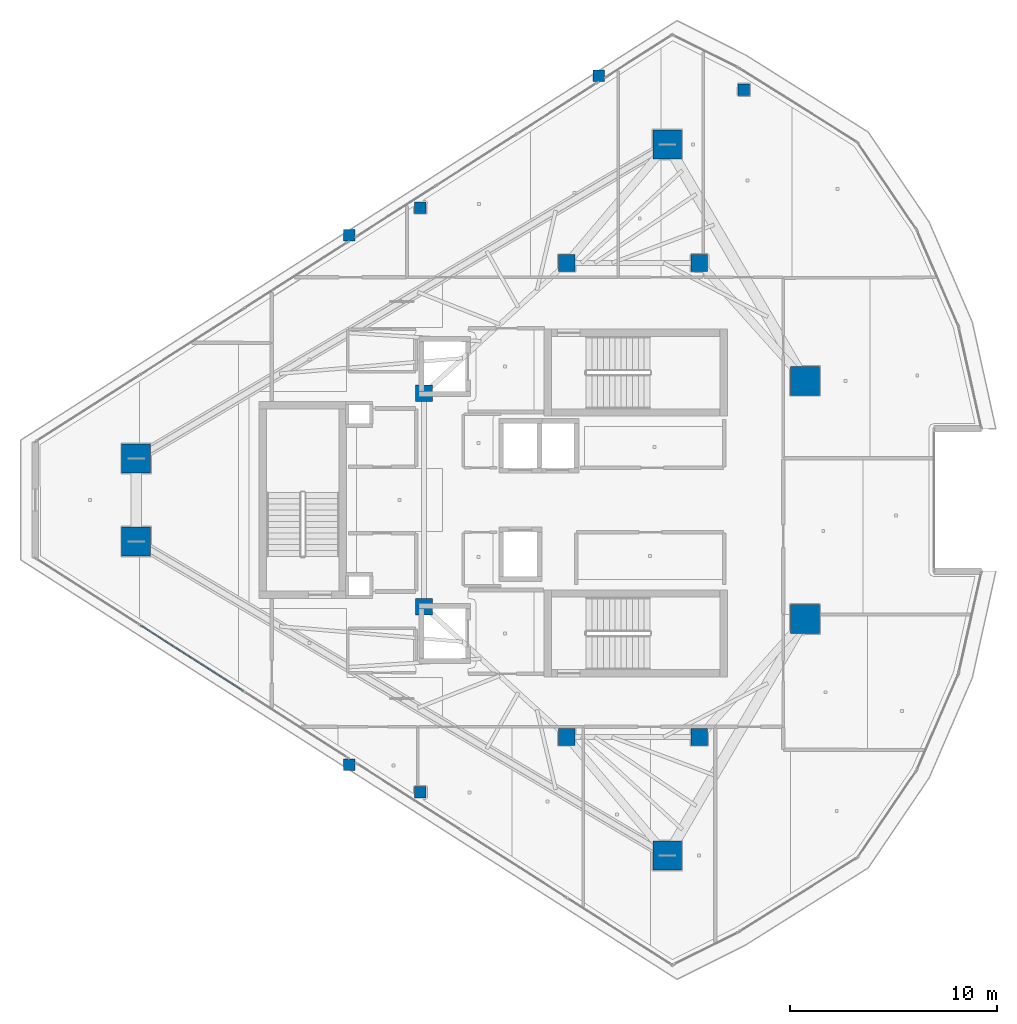
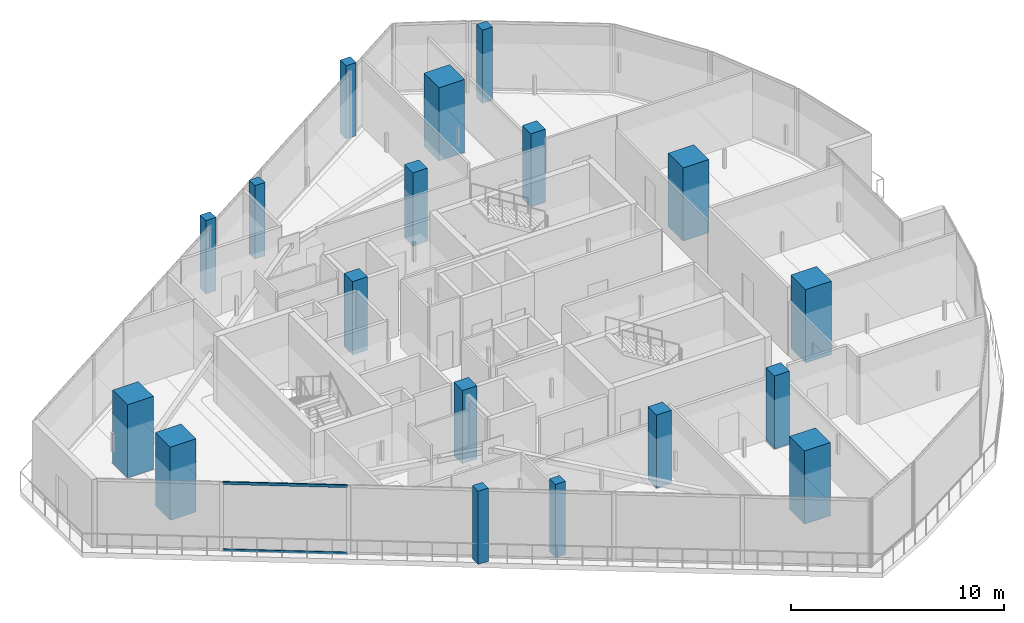
# One storey, part 1 of 30: 18 columns, 2 members, 1 element without a shape of its own.
"""IFC4 building model written with IfcOpenShell, lengths in metres."""

import ifcopenshell
import ifcopenshell.guid

model = None  # the IFC model being written
_history = None  # IfcOwnerHistory: only IFC2X3 demands one
_inside = {}  # id of a spatial element -> (the spatial element, [elements in it])
_under = {}  # id of a project, library or spatial element -> (it, [spatial elements below it])
_declared = {}  # id of a project -> (the project, [libraries it declares])
_typed = {}  # id of a type object -> (the type object, [elements of that type])
_made_of = {}  # id of a material, layer set ... -> (it, [elements and type objects made of it])


def new_model(schema):
    """Start an empty IFC model of exactly this schema.

    Asked for "IFC4X3", IfcOpenShell would pick the latest addendum, in which some entities
    have other attributes; the version numbers below select the first issue.
    IFC2X3 requires an IfcOwnerHistory on every rooted entity: one is made here for all.
    """
    global model, _history
    if schema == "IFC4X3":
        model = ifcopenshell.file(schema_version=(4, 3, 0, 0))
    else:
        model = ifcopenshell.file(schema=schema)
    _inside.clear()
    _under.clear()
    _declared.clear()
    _typed.clear()
    _made_of.clear()
    _history = None
    if model.schema == "IFC2X3":
        org = make("IfcOrganization", Name="unknown")
        user = make(
            "IfcPersonAndOrganization",
            ThePerson=make("IfcPerson", FamilyName="unknown"),
            TheOrganization=org,
        )
        app = make(
            "IfcApplication",
            ApplicationDeveloper=org,
            Version="unknown",
            ApplicationFullName="unknown",
            ApplicationIdentifier="unknown",
        )
        _history = make(
            "IfcOwnerHistory",
            OwningUser=user,
            OwningApplication=app,
            ChangeAction="ADDED",
            CreationDate=0,
        )
    return model


def make(cls, **values):
    """One entity of the class cls with the attributes given. An attribute that is None is left unset."""
    return model.create_entity(
        cls, **{name: value for name, value in values.items() if value is not None}
    )


def rooted(cls, **values):
    """An entity with a GlobalId (a new one), such as an element, a storey or a relation."""
    return make(cls, GlobalId=ifcopenshell.guid.new(), OwnerHistory=_history, **values)


def si_unit(unit_type, name, prefix=None):
    """IfcSIUnit, for example si_unit("LENGTHUNIT", "METRE", prefix="MILLI")."""
    return make("IfcSIUnit", UnitType=unit_type, Prefix=prefix, Name=name)


def assignment(units):
    """IfcUnitAssignment: the units of a project."""
    return None if units is None else make("IfcUnitAssignment", Units=units)


def point(xyz):
    """IfcCartesianPoint."""
    return None if xyz is None else make("IfcCartesianPoint", Coordinates=xyz)


def direction(xyz):
    """IfcDirection."""
    return None if xyz is None else make("IfcDirection", DirectionRatios=xyz)


def frame(location, z_axis=None, x_axis=None):
    """IfcAxis2Placement3D, a coordinate frame: its origin and axes. An axis left out is left unset."""
    return make(
        "IfcAxis2Placement3D",
        Location=point(location),
        Axis=direction(z_axis),
        RefDirection=direction(x_axis),
    )


def frame_2d(location, x_axis=None):
    """IfcAxis2Placement2D, a coordinate frame in the plane: its origin and x axis."""
    return make(
        "IfcAxis2Placement2D", Location=point(location), RefDirection=direction(x_axis)
    )


def origin():
    """The frame at (0, 0, 0) with its axes left unset."""
    return frame((0.0, 0.0, 0.0))


def origin_2d():
    """The frame at (0, 0) in the plane with its x axis left unset."""
    return frame_2d((0.0, 0.0))


def place(relative_to, where):
    """IfcLocalPlacement: puts the frame where relative to a parent placement (None: the world)."""
    return make(
        "IfcLocalPlacement", PlacementRelTo=relative_to, RelativePlacement=where
    )


def context(
    kind, dimensions, precision=None, world=None, true_north=None, identifier=None
):
    """IfcGeometricRepresentationContext, for example the 3D "Model" context."""
    return make(
        "IfcGeometricRepresentationContext",
        ContextIdentifier=identifier,
        ContextType=kind,
        CoordinateSpaceDimension=dimensions,
        Precision=precision,
        WorldCoordinateSystem=world,
        TrueNorth=true_north,
    )


def subcontext(parent, identifier, kind, view, scale=None):
    """IfcGeometricRepresentationSubContext, for example "Body" below "Model"."""
    return make(
        "IfcGeometricRepresentationSubContext",
        ContextIdentifier=identifier,
        ContextType=kind,
        ParentContext=parent,
        TargetScale=scale,
        TargetView=view,
    )


def project(units=None, contexts=None):
    """IfcProject with its units and contexts."""
    return rooted(
        "IfcProject",
        Name="project",
        RepresentationContexts=contexts,
        UnitsInContext=assignment(units),
    )


def spatial(cls, under=None, at=None, **own):
    """A site, building, storey or space (cls), placed at a placement, below another one or the project."""
    s = rooted(cls, ObjectPlacement=at, **own)
    if under is not None:
        _under.setdefault(under.id(), (under, []))[1].append(s)
    return s


def profile(cls, at=None, kind="AREA", **sizes):
    """A parametric profile (cls). Its sizes go by their IFC names, for example OverallWidth=200.0."""
    return make(cls, ProfileType=kind, Position=at, **sizes)


def rectangle(**sizes):
    """IfcRectangleProfileDef."""
    return profile("IfcRectangleProfileDef", **sizes)


def hollow_rectangle(**sizes):
    """IfcRectangleHollowProfileDef."""
    return profile("IfcRectangleHollowProfileDef", **sizes)


def extrude(swept, where, along, depth):
    """IfcExtrudedAreaSolid: the profile swept, set in the frame where, extruded along a direction by depth."""
    return make(
        "IfcExtrudedAreaSolid",
        SweptArea=swept,
        Position=where,
        ExtrudedDirection=direction(along),
        Depth=depth,
    )


def shape(context_of_items, identifier, shape_type, items):
    """IfcShapeRepresentation: the items that make up one representation, for example the "Body"."""
    return make(
        "IfcShapeRepresentation",
        ContextOfItems=context_of_items,
        RepresentationIdentifier=identifier,
        RepresentationType=shape_type,
        Items=items,
    )


def material(Name=None, Category=None):
    """IfcMaterial."""
    return make("IfcMaterial", Name=Name, Category=Category)


def layer(
    of_material, thickness, ventilated=None, Name=None, Category=None, Priority=None
):
    """IfcMaterialLayer: one layer of a wall or slab, of a material (None: an air gap)."""
    return make(
        "IfcMaterialLayer",
        Material=of_material,
        LayerThickness=thickness,
        IsVentilated=ventilated,
        Name=Name,
        Category=Category,
        Priority=Priority,
    )


def layer_set(layers, Name=None):
    """IfcMaterialLayerSet."""
    return make("IfcMaterialLayerSet", MaterialLayers=layers, LayerSetName=Name)


def material_profile(
    of_material, cross_section, Name=None, Category=None, Priority=None
):
    """IfcMaterialProfile: a cross section and its material."""
    return make(
        "IfcMaterialProfile",
        Name=Name,
        Material=of_material,
        Profile=cross_section,
        Priority=Priority,
        Category=Category,
    )


def profile_set(profiles, Name=None, composite=None):
    """IfcMaterialProfileSet."""
    return make(
        "IfcMaterialProfileSet",
        Name=Name,
        MaterialProfiles=profiles,
        CompositeProfile=composite,
    )


def made_of(thing, what):
    """Note that an element or type object is made of a material, layer set ...; save() writes the relation."""
    if what is not None:
        _made_of.setdefault(what.id(), (what, []))[1].append(thing)
    return thing


def type_object(cls, material=None, **own):
    """A type object (cls), such as IfcWallType, which elements share."""
    return made_of(rooted(cls, **own), material)


def element(
    cls,
    number,
    at=None,
    inside=None,
    cuts=None,
    type_object=None,
    material=None,
    context=None,
    identifier="Body",
    shape_type=None,
    held_by="IfcProductDefinitionShape",
    body=None,
    shapes=None,
    **own,
):
    """One element of the class cls, such as IfcWall. Its Tag is "e" and its number.

    at: its placement. inside: the storey or other place that contains it. cuts: it is an
    opening in that element (IfcRelVoidsElement). A single representation is given by context,
    identifier, shape_type and body (its items); several are given by shapes. held_by: the class
    of the entity that holds the representations. save() writes the other relations.
    """
    e = rooted(cls, Tag="e%d" % number, ObjectPlacement=at, **own)
    if body is not None:
        shapes = [shape(context, identifier, shape_type, body)]
    if shapes is not None:
        e.Representation = make(held_by, Representations=shapes)
    if inside is not None:
        _inside.setdefault(inside.id(), (inside, []))[1].append(e)
    if cuts is not None:
        rooted(
            "IfcRelVoidsElement", RelatingBuildingElement=cuts, RelatedOpeningElement=e
        )
    if type_object is not None:
        _typed.setdefault(type_object.id(), (type_object, []))[1].append(e)
    return made_of(e, material)


def aggregate(whole, parts):
    """IfcRelAggregates: a whole, such as a stair, and the parts it consists of."""
    return rooted("IfcRelAggregates", RelatingObject=whole, RelatedObjects=parts)


def save(model, path):
    """Write the relations noted so far, then the file.

    IfcRelAggregates (storeys below a building ...), IfcRelContainedInSpatialStructure (elements
    in a storey), IfcRelDefinesByType, IfcRelAssociatesMaterial and IfcRelDeclares: one each for
    every whole, place, type object, material and project.
    """
    for whole, parts in _under.values():
        aggregate(whole, parts)
    for where, things in _inside.values():
        rooted(
            "IfcRelContainedInSpatialStructure",
            RelatedElements=things,
            RelatingStructure=where,
        )
    for kind, things in _typed.values():
        rooted("IfcRelDefinesByType", RelatedObjects=things, RelatingType=kind)
    for what, things in _made_of.values():
        rooted("IfcRelAssociatesMaterial", RelatedObjects=things, RelatingMaterial=what)
    for by, libraries in _declared.values():
        rooted("IfcRelDeclares", RelatingContext=by, RelatedDefinitions=libraries)
    model.write(path)


model = new_model("IFC4")

# Units and contexts
model_context = context("Model", 3, precision=1e-05, world=origin(), true_north=direction((0.0, 1.0)))
body_context = subcontext(model_context, "Body", "Model", "MODEL_VIEW")
ifc_project = project(units=[si_unit("LENGTHUNIT", "METRE"), si_unit("AREAUNIT", "SQUARE_METRE"), si_unit("VOLUMEUNIT", "CUBIC_METRE"), si_unit("PLANEANGLEUNIT", "RADIAN"), si_unit("MASSUNIT", "GRAM", prefix="KILO")], contexts=[model_context])

# Site, building, storey
site_placement = place(None, origin())
site = spatial("IfcSite", under=ifc_project, at=site_placement, CompositionType="ELEMENT")
building_placement = place(site_placement, origin())
building = spatial("IfcBuilding", under=site, at=building_placement, Name="Qorvath Tower", CompositionType="ELEMENT")
storey_placement = place(building_placement, frame((0.0, 0.0, 301.800048828125)))
storey = spatial("IfcBuildingStorey", under=building, at=storey_placement, Name="L70", CompositionType="ELEMENT", Elevation=301.800048828125)

# Columns
ifc_material_1 = material(Name="Concrete C50/60", Category="concrete")
ifc_material_profile_1 = material_profile(ifc_material_1, rectangle(XDim=1.39990234375, YDim=1.39990234375, at=origin_2d()), Name="MC 1400x1400")
ifc_profile_set_1 = profile_set([ifc_material_profile_1], Name="Concrete C50/60")
column_type_1 = type_object("IfcColumnType", Name="COL-MC6", PredefinedType="COLUMN", material=ifc_profile_set_1)
for number, where, z_axis, x_axis, name in (
    (1, (-44.402587890625, 2.007568359375, 0.0), (0.0, 0.0, 1.0), (1.0, 0.0, 0.0), "Composite Mega-Column MC1 L70"),
    (2, (-44.402587890625, -2.007568359375, 0.0), (0.0, 0.0, 1.0), (1.0, 0.0, 0.0), "Composite Mega-Column MC2 L70"),
    (3, (-18.75048828125, -17.175537109375, 0.0), (0.0, 0.0, 1.0), (1.0, 0.0, 0.0), "Composite Mega-Column MC3 L70"),
    (4, (-12.0966796875, -5.7578125, 0.0), (0.0, 0.0, 1.0), (1.0, 0.0, 0.0), "Composite Mega-Column MC4 L70"),
    (5, (-12.0966796875, 5.7578125, 0.0), (0.0, 0.0, 1.0), (1.0, 0.0, 0.0), "Composite Mega-Column MC5 L70"),
    (6, (-18.75048828125, 17.175537109375, 0.0), (0.0, 0.0, 1.0), (1.0, 0.0, 0.0), "Composite Mega-Column MC6 L70"),
):
    element("IfcColumn", number, at=place(storey_placement, frame(where, z_axis=z_axis, x_axis=x_axis)), inside=storey, type_object=column_type_1, Name=name, PredefinedType="COLUMN", context=body_context, shape_type="SweptSolid", body=[
        extrude(rectangle(XDim=1.39990234375, YDim=1.39990234375, at=origin_2d()), origin(), (0.0, 0.0, 1.0), 4.199951171875),
    ])
ifc_material_2 = material(Name="Concrete C50/60", Category="concrete")
ifc_material_profile_2 = material_profile(ifc_material_2, rectangle(XDim=0.800048828125, YDim=0.800048828125, at=origin_2d()), Name="RC 800x800")
ifc_profile_set_2 = profile_set([ifc_material_profile_2], Name="Concrete C50/60")
column_type_2 = type_object("IfcColumnType", Name="COL-RC4", PredefinedType="COLUMN", material=ifc_profile_set_2)
for number, where, z_axis, x_axis, name in (
    (7, (-23.60009765625, 11.449951171875, 0.0), (0.0, 0.0, 1.0), (1.0, 0.0, 0.0), "Core Spine Column CC1 L70"),
    (8, (-17.199951171875, 11.449951171875, 0.0), (0.0, 0.0, 1.0), (1.0, 0.0, 0.0), "Core Spine Column CC2 L70"),
    (9, (-17.199951171875, -11.449951171875, 0.0), (0.0, 0.0, 1.0), (1.0, 0.0, 0.0), "Core Spine Column CC3 L70"),
    (10, (-23.60009765625, -11.449951171875, 0.0), (0.0, 0.0, 1.0), (1.0, 0.0, 0.0), "Core Spine Column CC4 L70"),
    (11, (-30.5, 5.14990234375, 0.0), (0.0, 0.0, 1.0), (1.0, 0.0, 0.0), "Core Spine Column CC5 L70"),
    (12, (-30.5, -5.14990234375, 0.0), (0.0, 0.0, 1.0), (1.0, 0.0, 0.0), "Core Spine Column CC6 L70"),
):
    element("IfcColumn", number, at=place(storey_placement, frame(where, z_axis=z_axis, x_axis=x_axis)), inside=storey, type_object=column_type_2, Name=name, PredefinedType="COLUMN", context=body_context, shape_type="SweptSolid", body=[
        extrude(rectangle(XDim=0.800048828125, YDim=0.800048828125, at=origin_2d()), origin(), (0.0, 0.0, 1.0), 4.199951171875),
    ])
ifc_material_3 = material(Name="Concrete C45/55", Category="concrete")
ifc_material_profile_3 = material_profile(ifc_material_3, rectangle(XDim=0.550048828125, YDim=0.550048828125, at=origin_2d()), Name="RC 550x550")
ifc_profile_set_3 = profile_set([ifc_material_profile_3], Name="Concrete C45/55")
column_type_3 = type_object("IfcColumnType", Name="COL-RC7", PredefinedType="COLUMN", material=ifc_profile_set_3)
for number, where, z_axis, x_axis, name in (
    (13, (-34.104248046875, 12.79248046875, 0.0), (0.0, 0.0, 1.0), (1.0, 0.0, 0.0), "Loggia Frame Pier Column LGG1 L70"),
    (14, (-34.104248046875, -12.79248046875, 0.0), (0.0, 0.0, 1.0), (1.0, 0.0, 0.0), "Loggia Frame Pier Column LGG2 L70"),
    (15, (-22.05322265625, 20.494873046875, 0.0), (0.0, 0.0, 1.0), (1.0, 0.0, 0.0), "Loggia Frame Pier Column LGG3 L70"),
    (16, (-30.67724609375, 14.124267578125, 0.0), (0.0, 0.0, 1.0), (1.0, 0.0, 0.0), "Loggia Frame Pier Column LGH1 L70"),
    (17, (-30.67724609375, -14.124267578125, 0.0), (0.0, 0.0, 1.0), (1.0, 0.0, 0.0), "Loggia Frame Pier Column LGH2 L70"),
    (18, (-15.046142578125, 19.818115234375, 0.0), (0.0, 0.0, 1.0), (1.0, 0.0, 0.0), "Loggia Frame Pier Column LGH3 L70"),
):
    element("IfcColumn", number, at=place(storey_placement, frame(where, z_axis=z_axis, x_axis=x_axis)), inside=storey, type_object=column_type_3, Name=name, PredefinedType="COLUMN", context=body_context, shape_type="SweptSolid", body=[
        extrude(rectangle(XDim=0.550048828125, YDim=0.550048828125, at=origin_2d()), origin(), (0.0, 0.0, 1.0), 4.199951171875),
    ])

# Curtain wall, members
ifc_material_4 = material(Name="Anodised aluminium and triple low-E glass", Category="aluminium")
ifc_layer = layer(ifc_material_4, 0.179931640625)
ifc_layer_set = layer_set([ifc_layer], Name="CW-SYS-4")
curtain_wall_type = type_object("IfcCurtainWallType", Name="CW-SYS-4", PredefinedType="NOTDEFINED", material=ifc_layer_set)
curtain_wall_placement = place(storey_placement, origin())
curtain_wall = element("IfcCurtainWall", 19, at=curtain_wall_placement, inside=storey, type_object=curtain_wall_type, Name="Curtain Wall CW-4 CW-T-L70-2.1", PredefinedType="NOTDEFINED")
ifc_material_5 = material(Name="Anodised aluminium 6063-T6", Category="aluminium")
ifc_material_profile_4 = material_profile(ifc_material_5, hollow_rectangle(XDim=0.06494140625, YDim=0.159912109375, WallThickness=0.00341796875, InnerFilletRadius=0.00341796875, OuterFilletRadius=0.007080078125, at=origin_2d()), Name="CWT 160x65")
ifc_profile_set_4 = profile_set([ifc_material_profile_4], Name="Anodised aluminium 6063-T6")
member_type = type_object("IfcMemberType", Name="CWT-160", PredefinedType="USERDEFINED", material=ifc_profile_set_4)
member_1_placement = place(storey_placement, frame((-44.205322265625, -6.050537109375, 0.032470703125), z_axis=(0.842616547395, -0.538514024011, 0.0), x_axis=(0.538514024011, 0.842616547395, 0.0)))
member_1 = element("IfcMember", 20, at=member_1_placement, type_object=member_type, Name="CW-4 transom 2.1", ObjectType="TRANSOM", PredefinedType="USERDEFINED", context=body_context, shape_type="SweptSolid", body=[
    extrude(hollow_rectangle(XDim=0.06494140625, YDim=0.159912109375, WallThickness=0.00341796875, InnerFilletRadius=0.00341796875, OuterFilletRadius=0.007080078125, at=origin_2d()), origin(), (0.0, 0.0, 1.0), 5.90625),
])
member_2_placement = place(storey_placement, frame((-44.205322265625, -6.050537109375, 3.87744140625), z_axis=(0.842616547395, -0.538514024011, 0.0), x_axis=(0.538514024011, 0.842616547395, 0.0)))
member_2 = element("IfcMember", 21, at=member_2_placement, type_object=member_type, Name="CW-4 transom 2.2", ObjectType="TRANSOM", PredefinedType="USERDEFINED", context=body_context, shape_type="SweptSolid", body=[
    extrude(hollow_rectangle(XDim=0.06494140625, YDim=0.159912109375, WallThickness=0.00341796875, InnerFilletRadius=0.00341796875, OuterFilletRadius=0.007080078125, at=origin_2d()), origin(), (0.0, 0.0, 1.0), 5.90625),
])
aggregate(curtain_wall, [member_1, member_2])

save(model, "model.ifc")
